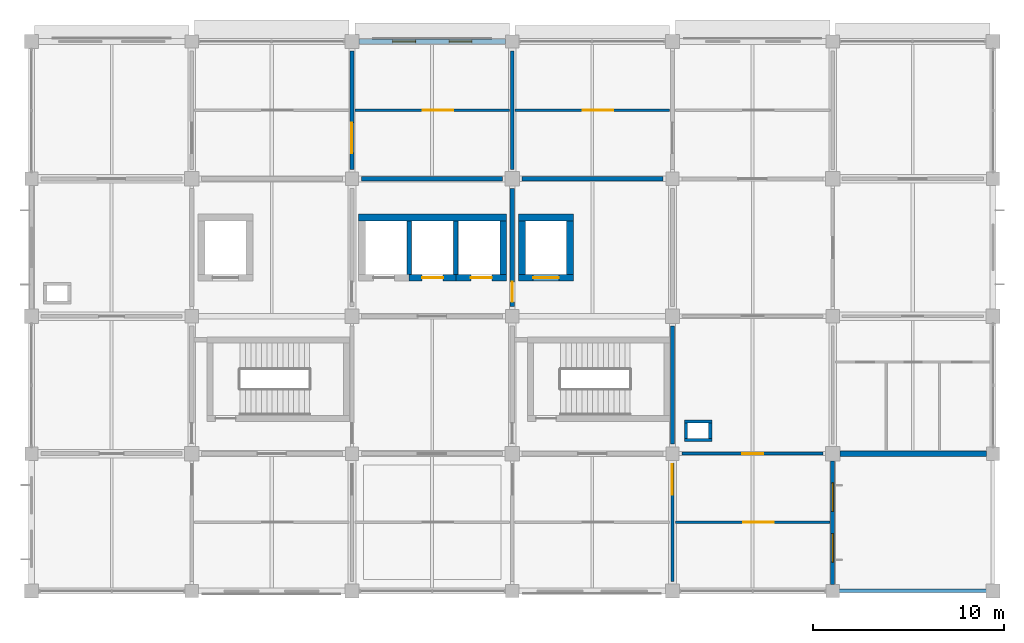
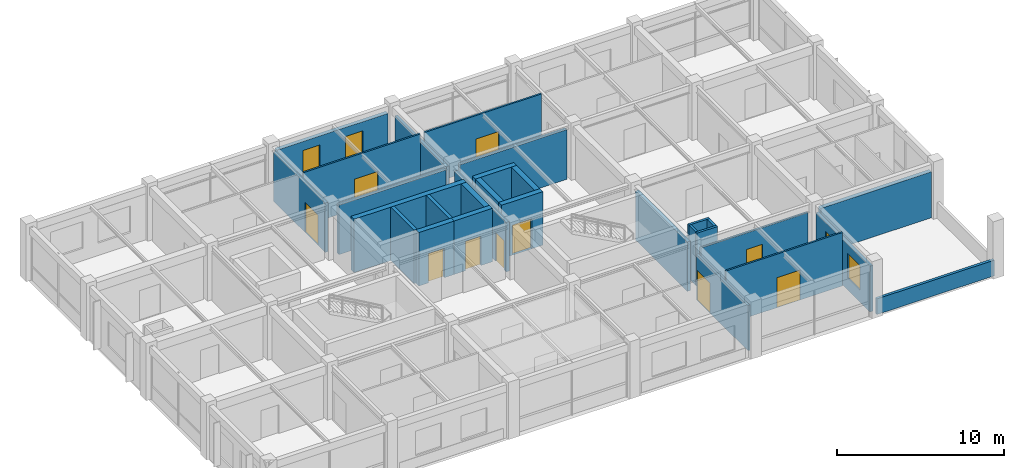
# One storey, part 10 of 14: 29 walls, 10 doors, 4 windows, 14 openings.
"""IFC4 building model written with IfcOpenShell, lengths in metres."""

from ifc_helpers import new_model, si_unit, derived_unit, direction, frame, frame_2d, origin, place, context, subcontext, project, spatial, rectangle, extrude, material, layer, layer_set, type_object, element, fill, save


model = new_model("IFC4")

# Units and contexts
model_context = context("Model", 3, precision=1e-05, world=origin(), true_north=direction((0.0, 1.0)))
body_context = subcontext(model_context, "Body", "Model", "MODEL_VIEW")
ifc_project = project(units=[si_unit("LENGTHUNIT", "METRE"), si_unit("AREAUNIT", "SQUARE_METRE"), si_unit("VOLUMEUNIT", "CUBIC_METRE"), si_unit("PLANEANGLEUNIT", "RADIAN"), si_unit("MASSUNIT", "GRAM", prefix="KILO"), derived_unit("THERMALTRANSMITTANCEUNIT", [(si_unit("MASSUNIT", "GRAM", prefix="KILO"), 1), (si_unit("TIMEUNIT", "SECOND"), -3), (si_unit("THERMODYNAMICTEMPERATUREUNIT", "KELVIN"), -1)])], contexts=[model_context])

# Site, building, storey
site_placement = place(None, origin())
site = spatial("IfcSite", under=ifc_project, at=site_placement, CompositionType="ELEMENT")
building_placement = place(site_placement, origin())
building = spatial("IfcBuilding", under=site, at=building_placement, Name="Veldstrom Oceanarium and Marine Research Institute", CompositionType="ELEMENT")
storey_placement = place(building_placement, frame((0.0, 0.0, 35.39990234375)))
storey = spatial("IfcBuildingStorey", under=building, at=storey_placement, Name="L07", CompositionType="ELEMENT", Elevation=35.39990234375)

# Wall
ifc_material_1 = material(Name="Masonry Cavity Wall", Category="masonry")
ifc_layer_1 = layer(ifc_material_1, 0.2900390625)
ifc_layer_set_1 = layer_set([ifc_layer_1], Name="ARC-WAL-EW2")
wall_type_1 = type_object("IfcWallType", Name="ARC-WAL-EW2", PredefinedType="SOLIDWALL", material=ifc_layer_set_1)
wall_1_placement = place(storey_placement, frame((109.574951171875, 50.39990234375, 0.0), z_axis=(0.0, 0.0, 1.0), x_axis=(1.0, 0.0, 0.0)))
element("IfcWall", 1, at=wall_1_placement, inside=storey, type_object=wall_type_1, Name="Exterior Facade Wall EW2 L07-202", PredefinedType="SOLIDWALL", context=body_context, shape_type="SweptSolid", body=[
    extrude(rectangle(XDim=7.675048828125, YDim=0.2900390625, at=frame_2d((3.83740234375, 0.0))), origin(), (0.0, 0.0, 1.0), 3.364990234375),
])

# Wall, openings, windows
ifc_material_2 = material(Name="Masonry Cavity Wall", Category="masonry")
ifc_layer_2 = layer(ifc_material_2, 0.27001953125)
ifc_layer_set_2 = layer_set([ifc_layer_2], Name="ARC-WAL-EW3")
wall_type_2 = type_object("IfcWallType", Name="ARC-WAL-EW3", PredefinedType="SOLIDWALL", material=ifc_layer_set_2)
wall_2_placement = place(storey_placement, frame((84.375, 72.0, 0.0), z_axis=(0.0, 0.0, 1.0), x_axis=(1.0, 0.0, 0.0)))
wall_2 = element("IfcWall", 2, at=wall_2_placement, inside=storey, type_object=wall_type_2, Name="Exterior Facade Wall EW3 L07-198", PredefinedType="SOLIDWALL", context=body_context, shape_type="SweptSolid", body=[
    extrude(rectangle(XDim=7.675048828125, YDim=0.27001953125, at=frame_2d((3.83740234375, 0.0))), origin(), (0.0, 0.0, 1.0), 3.364990234375),
])
opening_1_placement = place(wall_2_placement, frame((1.75830078125, 0.0, 0.89990234375)))
opening_1 = element("IfcOpeningElement", 3, at=opening_1_placement, cuts=wall_2, Name="Opening W05", PredefinedType="OPENING", context=body_context, shape_type="SweptSolid", body=[
    extrude(rectangle(XDim=1.199951171875, YDim=1.800048828125, at=frame_2d((0.60009765625, 0.89990234375))), frame((0.0, 0.14501953125, 0.0), z_axis=(0.0, -1.0, 0.0), x_axis=(1.0, 0.0, 0.0)), (0.0, 0.0, 1.0), 0.2900390625),
])
opening_2_placement = place(wall_2_placement, frame((4.716796875, 0.0, 0.89990234375)))
opening_2 = element("IfcOpeningElement", 4, at=opening_2_placement, cuts=wall_2, Name="Opening W05", PredefinedType="OPENING", context=body_context, shape_type="SweptSolid", body=[
    extrude(rectangle(XDim=1.199951171875, YDim=1.800048828125, at=frame_2d((0.60009765625, 0.89990234375))), frame((0.0, 0.14501953125, 0.0), z_axis=(0.0, -1.0, 0.0), x_axis=(1.0, 0.0, 0.0)), (0.0, 0.0, 1.0), 0.2900390625),
])
ifc_material_3 = material(Name="Double Glazed Low-E IGU", Category="glass")
window_type_1 = type_object("IfcWindowType", Name="ARC-WIN-W05", PartitioningType="SINGLE_PANEL", PredefinedType="WINDOW", material=ifc_material_3)
window_1_placement = place(opening_1_placement, origin())
window_1 = element("IfcWindow", 5, at=window_1_placement, inside=storey, type_object=window_type_1, Name="Facade Window W05 L07-0167", OverallHeight=1.800048828125, OverallWidth=1.199951171875, PartitioningType="SINGLE_PANEL", PredefinedType="WINDOW", context=body_context, shape_type="SweptSolid", body=[
    extrude(rectangle(XDim=1.199951171875, YDim=1.800048828125, at=frame_2d((0.60009765625, 0.89990234375))), frame((0.0, 0.030029296875, 0.0), z_axis=(0.0, -1.0, 0.0), x_axis=(1.0, 0.0, 0.0)), (0.0, 0.0, 1.0), 0.06005859375),
])
fill(opening_1, window_1)
window_2_placement = place(opening_2_placement, origin())
window_2 = element("IfcWindow", 6, at=window_2_placement, inside=storey, type_object=window_type_1, Name="Facade Window W05 L07-0168", OverallHeight=1.800048828125, OverallWidth=1.199951171875, PartitioningType="SINGLE_PANEL", PredefinedType="WINDOW", context=body_context, shape_type="SweptSolid", body=[
    extrude(rectangle(XDim=1.199951171875, YDim=1.800048828125, at=frame_2d((0.60009765625, 0.89990234375))), frame((0.0, 0.030029296875, 0.0), z_axis=(0.0, -1.0, 0.0), x_axis=(1.0, 0.0, 0.0)), (0.0, 0.0, 1.0), 0.06005859375),
])
fill(opening_2, window_2)

ifc_material_4 = material(Name="Masonry Cavity Wall", Category="masonry")
ifc_layer_3 = layer(ifc_material_4, 0.215087890625)
ifc_layer_set_3 = layer_set([ifc_layer_3], Name="ARC-WAL-EW6")
wall_type_3 = type_object("IfcWallType", Name="ARC-WAL-EW6", PredefinedType="SOLIDWALL", material=ifc_layer_set_3)
wall_3_placement = place(storey_placement, frame((109.199951171875, 43.550048828125, 0.0), z_axis=(0.0, 0.0, 1.0), x_axis=(0.0, 1.0, 0.0)))
wall_3 = element("IfcWall", 7, at=wall_3_placement, inside=storey, type_object=wall_type_3, Name="Exterior Facade Wall EW6 L07-200", PredefinedType="SOLIDWALL", context=body_context, shape_type="SweptSolid", body=[
    extrude(rectangle(XDim=6.474853515625, YDim=0.215087890625, at=frame_2d((3.2373046875, 0.0))), origin(), (0.0, 0.0, 1.0), 3.364990234375),
])
opening_3_placement = place(wall_3_placement, frame((1.158203125, 0.0, 0.89990234375)))
opening_3 = element("IfcOpeningElement", 8, at=opening_3_placement, cuts=wall_3, Name="Opening W04", PredefinedType="OPENING", context=body_context, shape_type="SweptSolid", body=[
    extrude(rectangle(XDim=1.5, YDim=1.800048828125, at=frame_2d((0.75, 0.89990234375))), frame((0.0, 0.117431640625, 0.0), z_axis=(0.0, -1.0, 0.0), x_axis=(1.0, 0.0, 0.0)), (0.0, 0.0, 1.0), 0.235107421875),
])
opening_4_placement = place(wall_3_placement, frame((3.816650390625, 0.0, 0.89990234375)))
opening_4 = element("IfcOpeningElement", 9, at=opening_4_placement, cuts=wall_3, Name="Opening W04", PredefinedType="OPENING", context=body_context, shape_type="SweptSolid", body=[
    extrude(rectangle(XDim=1.5, YDim=1.800048828125, at=frame_2d((0.75, 0.89990234375))), frame((0.0, 0.117431640625, 0.0), z_axis=(0.0, -1.0, 0.0), x_axis=(1.0, 0.0, 0.0)), (0.0, 0.0, 1.0), 0.235107421875),
])
ifc_material_5 = material(Name="Double Glazed Low-E IGU", Category="glass")
window_type_2 = type_object("IfcWindowType", Name="ARC-WIN-W04", PartitioningType="SINGLE_PANEL", PredefinedType="WINDOW", material=ifc_material_5)
window_3_placement = place(opening_3_placement, origin())
window_3 = element("IfcWindow", 10, at=window_3_placement, inside=storey, type_object=window_type_2, Name="Facade Window W04 L07-0171", OverallHeight=1.800048828125, OverallWidth=1.5, PartitioningType="SINGLE_PANEL", PredefinedType="WINDOW", context=body_context, shape_type="SweptSolid", body=[
    extrude(rectangle(XDim=1.5, YDim=1.800048828125, at=frame_2d((0.75, 0.89990234375))), frame((0.0, 0.030029296875, 0.0), z_axis=(0.0, -1.0, 0.0), x_axis=(1.0, 0.0, 0.0)), (0.0, 0.0, 1.0), 0.06005859375),
])
fill(opening_3, window_3)
window_4_placement = place(opening_4_placement, origin())
window_4 = element("IfcWindow", 11, at=window_4_placement, inside=storey, type_object=window_type_2, Name="Facade Window W04 L07-0172", OverallHeight=1.800048828125, OverallWidth=1.5, PartitioningType="SINGLE_PANEL", PredefinedType="WINDOW", context=body_context, shape_type="SweptSolid", body=[
    extrude(rectangle(XDim=1.5, YDim=1.800048828125, at=frame_2d((0.75, 0.89990234375))), frame((0.0, 0.030029296875, 0.0), z_axis=(0.0, -1.0, 0.0), x_axis=(1.0, 0.0, 0.0)), (0.0, 0.0, 1.0), 0.06005859375),
])
fill(opening_4, window_4)

# Wall
ifc_material_6 = material(Name="Masonry Cavity Wall", Category="masonry")
ifc_layer_4 = layer(ifc_material_6, 0.18505859375)
ifc_layer_set_4 = layer_set([ifc_layer_4], Name="ARC-WAL-PR2")
wall_type_4 = type_object("IfcWallType", Name="ARC-WAL-PR2", PredefinedType="PARAPET", material=ifc_layer_set_4)
wall_4_placement = place(storey_placement, frame((109.320068359375, 43.199951171875, 0.0), z_axis=(0.0, 0.0, 1.0), x_axis=(1.0, 0.0, 0.0)))
element("IfcWall", 12, at=wall_4_placement, inside=storey, type_object=wall_type_4, Name="Roof Parapet Wall L06-103", PredefinedType="PARAPET", context=body_context, shape_type="SweptSolid", body=[
    extrude(rectangle(XDim=8.159912109375, YDim=0.18505859375, at=frame_2d((4.080078125, 0.0))), origin(), (0.0, 0.0, 1.0), 1.150146484375),
])

# Wall, opening, door
ifc_material_7 = material(Name="Masonry Fire Compartment Wall", Category="masonry")
ifc_layer_5 = layer(ifc_material_7, 0.22998046875)
ifc_layer_set_5 = layer_set([ifc_layer_5], Name="ARC-WAL-PT1")
wall_type_5 = type_object("IfcWallType", Name="ARC-WAL-PT1", PredefinedType="PARTITIONING", material=ifc_layer_set_5)
wall_5_placement = place(storey_placement, frame((92.39990234375, 58.10009765625, 0.0), z_axis=(0.0, 0.0, 1.0), x_axis=(0.0, 1.0, 0.0)))
wall_5 = element("IfcWall", 13, at=wall_5_placement, inside=storey, type_object=wall_type_5, Name="Interior Partition PT1 L07-1537", PredefinedType="PARTITIONING", context=body_context, shape_type="SweptSolid", body=[
    extrude(rectangle(XDim=6.199951171875, YDim=0.22998046875, at=frame_2d((3.10009765625, 0.0))), origin(), (0.0, 0.0, 1.0), 3.625),
])
opening_5_placement = place(wall_5_placement, frame((0.25, 0.0, 0.0)))
opening_5 = element("IfcOpeningElement", 14, at=opening_5_placement, cuts=wall_5, Name="Opening D-L07-928", PredefinedType="OPENING", context=body_context, shape_type="SweptSolid", body=[
    extrude(rectangle(XDim=1.050048828125, YDim=2.14990234375, at=frame_2d((0.52490234375, 1.074951171875))), frame((0.0, 0.125, 0.0), z_axis=(0.0, -1.0, 0.0), x_axis=(1.0, 0.0, 0.0)), (0.0, 0.0, 1.0), 0.25),
])
ifc_material_8 = material(Name="Painted Steel Fire Door", Category="steel")
door_type_1 = type_object("IfcDoorType", Name="ARC-DOR-SD1", OperationType="SINGLE_SWING_LEFT", PredefinedType="DOOR", material=ifc_material_8)
door_1_placement = place(opening_5_placement, origin())
door_1 = element("IfcDoor", 15, at=door_1_placement, inside=storey, type_object=door_type_1, Name="Interior Door D-L07-928", OperationType="SINGLE_SWING_LEFT", OverallHeight=2.14990234375, OverallWidth=1.050048828125, PredefinedType="DOOR", context=body_context, shape_type="SweptSolid", body=[
    extrude(rectangle(XDim=1.050048828125, YDim=2.14990234375, at=frame_2d((0.52490234375, 1.074951171875))), frame((0.0, 0.02490234375, 0.0), z_axis=(0.0, -1.0, 0.0), x_axis=(1.0, 0.0, 0.0)), (0.0, 0.0, 1.0), 0.050048828125),
])
fill(opening_5, door_1)

# Walls
wall_6_placement = place(storey_placement, frame((84.5, 64.800048828125, 0.0), z_axis=(0.0, 0.0, 1.0), x_axis=(1.0, 0.0, 0.0)))
element("IfcWall", 16, at=wall_6_placement, inside=storey, type_object=wall_type_5, Name="Interior Partition PT1 L07-1538", PredefinedType="PARTITIONING", context=body_context, shape_type="SweptSolid", body=[
    extrude(rectangle(XDim=7.39990234375, YDim=0.22998046875, at=frame_2d((3.699951171875, 0.0))), origin(), (0.0, 0.0, 1.0), 3.625),
])
wall_7_placement = place(storey_placement, frame((100.800048828125, 50.89990234375, 0.0), z_axis=(0.0, 0.0, 1.0), x_axis=(0.0, 1.0, 0.0)))
element("IfcWall", 17, at=wall_7_placement, inside=storey, type_object=wall_type_5, Name="Interior Partition PT1 L07-1542", PredefinedType="PARTITIONING", context=body_context, shape_type="SweptSolid", body=[
    extrude(rectangle(XDim=6.2001953125, YDim=0.22998046875, at=frame_2d((3.10009765625, 0.0))), origin(), (0.0, 0.0, 1.0), 3.625),
])
wall_8_placement = place(storey_placement, frame((92.89990234375, 64.800048828125, 0.0), z_axis=(0.0, 0.0, 1.0), x_axis=(1.0, 0.0, 0.0)))
element("IfcWall", 18, at=wall_8_placement, inside=storey, type_object=wall_type_5, Name="Interior Partition PT1 L07-1545", PredefinedType="PARTITIONING", context=body_context, shape_type="SweptSolid", body=[
    extrude(rectangle(XDim=7.400146484375, YDim=0.22998046875, at=frame_2d((3.7001953125, 0.0))), origin(), (0.0, 0.0, 1.0), 3.64501953125),
])

# Wall, opening, door
ifc_material_9 = material(Name="Gypsum Acoustic Lab Partition", Category="gypsum")
ifc_layer_6 = layer(ifc_material_9, 0.1201171875)
ifc_layer_set_6 = layer_set([ifc_layer_6], Name="ARC-WAL-PT10")
wall_type_6 = type_object("IfcWallType", Name="ARC-WAL-PT10", PredefinedType="PARTITIONING", material=ifc_layer_set_6)
wall_9_placement = place(storey_placement, frame((100.949951171875, 46.800048828125, 0.0), z_axis=(0.0, 0.0, 1.0), x_axis=(1.0, 0.0, 0.0)))
wall_9 = element("IfcWall", 19, at=wall_9_placement, inside=storey, type_object=wall_type_6, Name="Laboratory Suite Partition L07-12/6", PredefinedType="PARTITIONING", context=body_context, shape_type="SweptSolid", body=[
    extrude(rectangle(XDim=8.10009765625, YDim=0.1201171875, at=frame_2d((4.050048828125, 0.0))), origin(), (0.0, 0.0, 1.0), 3.920166015625),
])
opening_6_placement = place(wall_9_placement, frame((3.550048828125, 0.0, 0.0)))
opening_6 = element("IfcOpeningElement", 20, at=opening_6_placement, cuts=wall_9, Name="Opening D-L07-S908", PredefinedType="OPENING", context=body_context, shape_type="SweptSolid", body=[
    extrude(rectangle(XDim=1.60009765625, YDim=2.199951171875, at=frame_2d((0.800048828125, 1.10009765625))), frame((0.0, 0.070068359375, 0.0), z_axis=(0.0, -1.0, 0.0), x_axis=(1.0, 0.0, 0.0)), (0.0, 0.0, 1.0), 0.14013671875),
])
ifc_material_10 = material(Name="Acoustic Timber Corridor Door", Category="wood")
door_type_2 = type_object("IfcDoorType", Name="ARC-DOR-ID02", OperationType="DOUBLE_DOOR_SINGLE_SWING", PredefinedType="DOOR", material=ifc_material_10)
door_2_placement = place(opening_6_placement, frame((1.60009765625, 0.0, 0.0), z_axis=(0.0, 0.0, 1.0), x_axis=(-1.0, 0.0, 0.0)))
door_2 = element("IfcDoor", 21, at=door_2_placement, inside=storey, type_object=door_type_2, Name="Suite Interior Door D-L07-S908", OperationType="SINGLE_SWING_LEFT", OverallHeight=2.199951171875, OverallWidth=1.60009765625, PredefinedType="DOOR", context=body_context, shape_type="SweptSolid", body=[
    extrude(rectangle(XDim=1.60009765625, YDim=2.199951171875, at=frame_2d((0.800048828125, 1.10009765625))), frame((0.0, 0.02490234375, 0.0), z_axis=(0.0, -1.0, 0.0), x_axis=(1.0, 0.0, 0.0)), (0.0, 0.0, 1.0), 0.050048828125),
])
fill(opening_6, door_2)

wall_10_placement = place(storey_placement, frame((84.14990234375, 68.39990234375, 0.0), z_axis=(0.0, 0.0, 1.0), x_axis=(1.0, 0.0, 0.0)))
wall_10 = element("IfcWall", 22, at=wall_10_placement, inside=storey, type_object=wall_type_6, Name="Laboratory Suite Partition L07-10/9", PredefinedType="PARTITIONING", context=body_context, shape_type="SweptSolid", body=[
    extrude(rectangle(XDim=8.10009765625, YDim=0.1201171875, at=frame_2d((4.050048828125, 0.0))), origin(), (0.0, 0.0, 1.0), 3.920166015625),
])
opening_7_placement = place(wall_10_placement, frame((3.550048828125, 0.0, 0.0)))
opening_7 = element("IfcOpeningElement", 23, at=opening_7_placement, cuts=wall_10, Name="Opening D-L07-S910", PredefinedType="OPENING", context=body_context, shape_type="SweptSolid", body=[
    extrude(rectangle(XDim=1.60009765625, YDim=2.199951171875, at=frame_2d((0.800048828125, 1.10009765625))), frame((0.0, 0.070068359375, 0.0), z_axis=(0.0, -1.0, 0.0), x_axis=(1.0, 0.0, 0.0)), (0.0, 0.0, 1.0), 0.14013671875),
])
door_3_placement = place(opening_7_placement, origin())
door_3 = element("IfcDoor", 24, at=door_3_placement, inside=storey, type_object=door_type_2, Name="Suite Interior Door D-L07-S910", OperationType="SINGLE_SWING_RIGHT", OverallHeight=2.199951171875, OverallWidth=1.60009765625, PredefinedType="DOOR", context=body_context, shape_type="SweptSolid", body=[
    extrude(rectangle(XDim=1.60009765625, YDim=2.199951171875, at=frame_2d((0.800048828125, 1.10009765625))), frame((0.0, 0.02490234375, 0.0), z_axis=(0.0, -1.0, 0.0), x_axis=(1.0, 0.0, 0.0)), (0.0, 0.0, 1.0), 0.050048828125),
])
fill(opening_7, door_3)

wall_11_placement = place(storey_placement, frame((92.550048828125, 68.39990234375, 0.0), z_axis=(0.0, 0.0, 1.0), x_axis=(1.0, 0.0, 0.0)))
wall_11 = element("IfcWall", 25, at=wall_11_placement, inside=storey, type_object=wall_type_6, Name="Laboratory Suite Partition L07-11/9", PredefinedType="PARTITIONING", context=body_context, shape_type="SweptSolid", body=[
    extrude(rectangle(XDim=8.099853515625, YDim=0.1201171875, at=frame_2d((4.0498046875, 0.0))), origin(), (0.0, 0.0, 1.0), 3.920166015625),
])
opening_8_placement = place(wall_11_placement, frame((3.550048828125, 0.0, 0.0)))
opening_8 = element("IfcOpeningElement", 26, at=opening_8_placement, cuts=wall_11, Name="Opening D-L07-S911", PredefinedType="OPENING", context=body_context, shape_type="SweptSolid", body=[
    extrude(rectangle(XDim=1.60009765625, YDim=2.199951171875, at=frame_2d((0.800048828125, 1.10009765625))), frame((0.0, 0.070068359375, 0.0), z_axis=(0.0, -1.0, 0.0), x_axis=(1.0, 0.0, 0.0)), (0.0, 0.0, 1.0), 0.14013671875),
])
door_4_placement = place(opening_8_placement, origin())
door_4 = element("IfcDoor", 27, at=door_4_placement, inside=storey, type_object=door_type_2, Name="Suite Interior Door D-L07-S911", OperationType="SINGLE_SWING_LEFT", OverallHeight=2.199951171875, OverallWidth=1.60009765625, PredefinedType="DOOR", context=body_context, shape_type="SweptSolid", body=[
    extrude(rectangle(XDim=1.60009765625, YDim=2.199951171875, at=frame_2d((0.800048828125, 1.10009765625))), frame((0.0, 0.02490234375, 0.0), z_axis=(0.0, -1.0, 0.0), x_axis=(1.0, 0.0, 0.0)), (0.0, 0.0, 1.0), 0.050048828125),
])
fill(opening_8, door_4)

ifc_material_11 = material(Name="Masonry Acoustic Lab Partition", Category="masonry")
ifc_layer_7 = layer(ifc_material_11, 0.205078125)
ifc_layer_set_7 = layer_set([ifc_layer_7], Name="ARC-WAL-PT2")
wall_type_7 = type_object("IfcWallType", Name="ARC-WAL-PT2", PredefinedType="PARTITIONING", material=ifc_layer_set_7)
wall_12_placement = place(storey_placement, frame((84.0, 65.300048828125, 0.0), z_axis=(0.0, 0.0, 1.0), x_axis=(0.0, 1.0, 0.0)))
wall_12 = element("IfcWall", 28, at=wall_12_placement, inside=storey, type_object=wall_type_7, Name="Interior Partition PT2 L07-1532", PredefinedType="PARTITIONING", context=body_context, shape_type="SweptSolid", body=[
    extrude(rectangle(XDim=6.199951171875, YDim=0.205078125, at=frame_2d((3.10009765625, 0.0))), origin(), (0.0, 0.0, 1.0), 3.625),
])
opening_9_placement = place(wall_12_placement, frame((0.85009765625, 0.0, 0.0)))
opening_9 = element("IfcOpeningElement", 29, at=opening_9_placement, cuts=wall_12, Name="Opening D-L07-923", PredefinedType="OPENING", context=body_context, shape_type="SweptSolid", body=[
    extrude(rectangle(XDim=1.60009765625, YDim=2.199951171875, at=frame_2d((0.800048828125, 1.10009765625))), frame((0.0, 0.112548828125, 0.0), z_axis=(0.0, -1.0, 0.0), x_axis=(1.0, 0.0, 0.0)), (0.0, 0.0, 1.0), 0.22509765625),
])
door_5_placement = place(opening_9_placement, origin())
door_5 = element("IfcDoor", 30, at=door_5_placement, inside=storey, type_object=door_type_2, Name="Interior Door D-L07-923", OperationType="DOUBLE_DOOR_SINGLE_SWING", OverallHeight=2.199951171875, OverallWidth=1.60009765625, PredefinedType="DOOR", context=body_context, shape_type="SweptSolid", body=[
    extrude(rectangle(XDim=1.60009765625, YDim=2.199951171875, at=frame_2d((0.800048828125, 1.10009765625))), frame((0.0, 0.02490234375, 0.0), z_axis=(0.0, -1.0, 0.0), x_axis=(1.0, 0.0, 0.0)), (0.0, 0.0, 1.0), 0.050048828125),
])
fill(opening_9, door_5)

# Wall
ifc_material_12 = material(Name="Drywall Acoustic Partition", Category="gypsum")
ifc_layer_8 = layer(ifc_material_12, 0.175048828125)
ifc_layer_set_8 = layer_set([ifc_layer_8], Name="ARC-WAL-PT3")
wall_type_8 = type_object("IfcWallType", Name="ARC-WAL-PT3", PredefinedType="PARTITIONING", material=ifc_layer_set_8)
wall_13_placement = place(storey_placement, frame((92.39990234375, 65.300048828125, 0.0), z_axis=(0.0, 0.0, 1.0), x_axis=(0.0, 1.0, 0.0)))
element("IfcWall", 31, at=wall_13_placement, inside=storey, type_object=wall_type_8, Name="Interior Partition PT3 L07-1539", PredefinedType="PARTITIONING", context=body_context, shape_type="SweptSolid", body=[
    extrude(rectangle(XDim=6.199951171875, YDim=0.175048828125, at=frame_2d((3.10009765625, 0.0))), origin(), (0.0, 0.0, 1.0), 3.315185546875),
])

# Wall, opening, door
ifc_material_13 = material(Name="Drywall Corridor Partition", Category="gypsum")
ifc_layer_9 = layer(ifc_material_13, 0.155029296875)
ifc_layer_set_9 = layer_set([ifc_layer_9], Name="ARC-WAL-PT4")
wall_type_9 = type_object("IfcWallType", Name="ARC-WAL-PT4", PredefinedType="PARTITIONING", material=ifc_layer_set_9)
wall_14_placement = place(storey_placement, frame((101.300048828125, 50.39990234375, 0.0), z_axis=(0.0, 0.0, 1.0), x_axis=(1.0, 0.0, 0.0)))
wall_14 = element("IfcWall", 32, at=wall_14_placement, inside=storey, type_object=wall_type_9, Name="Interior Partition PT4 L07-1547", PredefinedType="PARTITIONING", context=body_context, shape_type="SweptSolid", body=[
    extrude(rectangle(XDim=7.39990234375, YDim=0.155029296875, at=frame_2d((3.699951171875, 0.0))), origin(), (0.0, 0.0, 1.0), 3.315185546875),
])
opening_10_placement = place(wall_14_placement, frame((3.14990234375, 0.0, 0.0)))
opening_10 = element("IfcOpeningElement", 33, at=opening_10_placement, cuts=wall_14, Name="Opening D-L07-932", PredefinedType="OPENING", context=body_context, shape_type="SweptSolid", body=[
    extrude(rectangle(XDim=1.10009765625, YDim=2.10009765625, at=frame_2d((0.550048828125, 1.050048828125))), frame((0.0, 0.08740234375, 0.0), z_axis=(0.0, -1.0, 0.0), x_axis=(1.0, 0.0, 0.0)), (0.0, 0.0, 1.0), 0.175048828125),
])
ifc_material_14 = material(Name="Research Office Door", Category="timber")
door_type_3 = type_object("IfcDoorType", Name="ARC-DOR-ID07", OperationType="SINGLE_SWING_LEFT", PredefinedType="DOOR", material=ifc_material_14)
door_6_placement = place(opening_10_placement, frame((1.10009765625, 0.0, 0.0), z_axis=(0.0, 0.0, 1.0), x_axis=(-1.0, 0.0, 0.0)))
door_6 = element("IfcDoor", 34, at=door_6_placement, inside=storey, type_object=door_type_3, Name="Interior Door D-L07-932", OperationType="SINGLE_SWING_LEFT", OverallHeight=2.10009765625, OverallWidth=1.10009765625, PredefinedType="DOOR", context=body_context, shape_type="SweptSolid", body=[
    extrude(rectangle(XDim=1.10009765625, YDim=2.10009765625, at=frame_2d((0.550048828125, 1.050048828125))), frame((0.0, 0.02490234375, 0.0), z_axis=(0.0, -1.0, 0.0), x_axis=(1.0, 0.0, 0.0)), (0.0, 0.0, 1.0), 0.050048828125),
])
fill(opening_10, door_6)

ifc_material_15 = material(Name="Moisture-Resistant Wet-Area Partition", Category="masonry")
ifc_layer_10 = layer(ifc_material_15, 0.139892578125)
ifc_layer_set_10 = layer_set([ifc_layer_10], Name="ARC-WAL-PT5")
wall_type_10 = type_object("IfcWallType", Name="ARC-WAL-PT5", PredefinedType="PARTITIONING", material=ifc_layer_set_10)
wall_15_placement = place(storey_placement, frame((100.800048828125, 43.699951171875, 0.0), z_axis=(0.0, 0.0, 1.0), x_axis=(0.0, 1.0, 0.0)))
wall_15 = element("IfcWall", 35, at=wall_15_placement, inside=storey, type_object=wall_type_10, Name="Interior Partition PT5 L07-1540", PredefinedType="PARTITIONING", context=body_context, shape_type="SweptSolid", body=[
    extrude(rectangle(XDim=6.199951171875, YDim=0.139892578125, at=frame_2d((3.10009765625, 0.0))), origin(), (0.0, 0.0, 1.0), 3.315185546875),
])
opening_11_placement = place(wall_15_placement, frame((4.550048828125, 0.0, 0.0)))
opening_11 = element("IfcOpeningElement", 36, at=opening_11_placement, cuts=wall_15, Name="Opening D-L07-929", PredefinedType="OPENING", context=body_context, shape_type="SweptSolid", body=[
    extrude(rectangle(XDim=1.60009765625, YDim=2.199951171875, at=frame_2d((0.800048828125, 1.10009765625))), frame((0.0, 0.079833984375, 0.0), z_axis=(0.0, -1.0, 0.0), x_axis=(1.0, 0.0, 0.0)), (0.0, 0.0, 1.0), 0.159912109375),
])
door_7_placement = place(opening_11_placement, frame((1.60009765625, 0.0, 0.0), z_axis=(0.0, 0.0, 1.0), x_axis=(-1.0, 0.0, 0.0)))
door_7 = element("IfcDoor", 37, at=door_7_placement, inside=storey, type_object=door_type_2, Name="Interior Door D-L07-929", OperationType="DOUBLE_DOOR_SINGLE_SWING", OverallHeight=2.199951171875, OverallWidth=1.60009765625, PredefinedType="DOOR", context=body_context, shape_type="SweptSolid", body=[
    extrude(rectangle(XDim=1.60009765625, YDim=2.199951171875, at=frame_2d((0.800048828125, 1.10009765625))), frame((0.0, 0.02490234375, 0.0), z_axis=(0.0, -1.0, 0.0), x_axis=(1.0, 0.0, 0.0)), (0.0, 0.0, 1.0), 0.050048828125),
])
fill(opening_11, door_7)

# Walls
ifc_material_16 = material(Name="Service Riser Fire Shaft Wall", Category="masonry")
ifc_layer_11 = layer(ifc_material_16, 0.1650390625)
ifc_layer_set_11 = layer_set([ifc_layer_11], Name="ARC-WAL-PT9")
wall_type_11 = type_object("IfcWallType", Name="ARC-WAL-PT9", PredefinedType="PARTITIONING", material=ifc_layer_set_11)
for number, where, z_axis, x_axis, name in (
    (38, (101.43505859375, 51.117431640625, 0.0), (0.0, 0.0, 1.0), (1.0, 0.0, 0.0), "Service Riser Fire Shaft Wall L07-CE-S"),
    (39, (101.43505859375, 52.08251953125, 0.0), (0.0, 0.0, 1.0), (1.0, 0.0, 0.0), "Service Riser Fire Shaft Wall L07-CE-N"),
):
    element("IfcWall", number, at=place(storey_placement, frame(where, z_axis=z_axis, x_axis=x_axis)), inside=storey, type_object=wall_type_11, Name=name, PredefinedType="PARTITIONING", context=body_context, shape_type="SweptSolid", body=[
        extrude(rectangle(XDim=1.429931640625, YDim=0.1650390625, at=frame_2d((0.71484375, 0.0))), origin(), (0.0, 0.0, 1.0), 3.920166015625),
    ])
for number, where, z_axis, x_axis, name in (
    (40, (101.517578125, 51.199951171875, 0.0), (0.0, 0.0, 1.0), (0.0, 1.0, 0.0), "Service Riser Fire Shaft Wall L07-CE-W"),
    (41, (102.782470703125, 51.199951171875, 0.0), (0.0, 0.0, 1.0), (0.0, 1.0, 0.0), "Service Riser Fire Shaft Wall L07-CE-E"),
):
    element("IfcWall", number, at=place(storey_placement, frame(where, z_axis=z_axis, x_axis=x_axis)), inside=storey, type_object=wall_type_11, Name=name, PredefinedType="PARTITIONING", context=body_context, shape_type="SweptSolid", body=[
        extrude(rectangle(XDim=0.800048828125, YDim=0.1650390625, at=frame_2d((0.39990234375, 0.0))), origin(), (0.0, 0.0, 1.0), 3.920166015625),
    ])
ifc_material_17 = material(Name="Concrete C40/50", Category="concrete")
ifc_layer_12 = layer(ifc_material_17, 0.360107421875)
ifc_layer_set_12 = layer_set([ifc_layer_12], Name="STR-WAL-WC2")
wall_type_12 = type_object("IfcWallType", Name="STR-WAL-WC2", PredefinedType="SHEAR", material=ifc_layer_set_12)
wall_16_placement = place(storey_placement, frame((84.340087890625, 62.780029296875, 0.0), z_axis=(0.0, 0.0, 1.0), x_axis=(1.0, 0.0, 0.0)))
element("IfcWall", 42, at=wall_16_placement, inside=storey, type_object=wall_type_12, Name="Lift Shaft Shear Wall N L07 10/8", PredefinedType="SHEAR", context=body_context, shape_type="SweptSolid", body=[
    extrude(rectangle(XDim=7.77001953125, YDim=0.360107421875, at=frame_2d((3.885009765625, 0.0))), origin(), (0.0, 0.0, 1.0), 3.920166015625),
])

# Wall, opening, door
wall_17_placement = place(storey_placement, frame((87.0, 59.6201171875, 0.0), z_axis=(0.0, 0.0, 1.0), x_axis=(1.0, 0.0, 0.0)))
wall_17 = element("IfcWall", 43, at=wall_17_placement, inside=storey, type_object=wall_type_12, Name="Lift Shaft Front Shear Wall LP2 L07", PredefinedType="SHEAR", context=body_context, shape_type="SweptSolid", body=[
    extrude(rectangle(XDim=2.449951171875, YDim=0.360107421875, at=frame_2d((1.22509765625, 0.0))), origin(), (0.0, 0.0, 1.0), 3.920166015625),
])
opening_12_placement = place(wall_17_placement, frame((0.675048828125, 0.0, 0.0)))
opening_12 = element("IfcOpeningElement", 44, at=opening_12_placement, cuts=wall_17, Name="Opening LD-LP2-L07", PredefinedType="OPENING", context=body_context, shape_type="SweptSolid", body=[
    extrude(rectangle(XDim=1.10009765625, YDim=2.14990234375, at=frame_2d((0.550048828125, 1.074951171875))), frame((0.0, 0.18994140625, 0.0), z_axis=(0.0, -1.0, 0.0), x_axis=(1.0, 0.0, 0.0)), (0.0, 0.0, 1.0), 0.380126953125),
])
ifc_material_18 = material(Name="Stainless Steel Lift Landing Door", Category="steel")
door_type_4 = type_object("IfcDoorType", Name="ARC-DOR-LD1", OperationType="DOUBLE_DOOR_SLIDING", PredefinedType="DOOR", material=ifc_material_18)
door_8_placement = place(opening_12_placement, origin())
door_8 = element("IfcDoor", 45, at=door_8_placement, inside=storey, type_object=door_type_4, Name="Lift Landing Door LD-LP2-L07", OperationType="DOUBLE_DOOR_SLIDING", OverallHeight=2.14990234375, OverallWidth=1.10009765625, PredefinedType="DOOR", context=body_context, shape_type="SweptSolid", body=[
    extrude(rectangle(XDim=1.10009765625, YDim=2.14990234375, at=frame_2d((0.550048828125, 1.074951171875))), frame((0.0, 0.02490234375, 0.0), z_axis=(0.0, -1.0, 0.0), x_axis=(1.0, 0.0, 0.0)), (0.0, 0.0, 1.0), 0.050048828125),
])
fill(opening_12, door_8)

wall_18_placement = place(storey_placement, frame((89.449951171875, 59.6201171875, 0.0), z_axis=(0.0, 0.0, 1.0), x_axis=(1.0, 0.0, 0.0)))
wall_18 = element("IfcWall", 46, at=wall_18_placement, inside=storey, type_object=wall_type_12, Name="Lift Shaft Front Shear Wall LP3 L07", PredefinedType="SHEAR", context=body_context, shape_type="SweptSolid", body=[
    extrude(rectangle(XDim=2.66015625, YDim=0.360107421875, at=frame_2d((1.330078125, 0.0))), origin(), (0.0, 0.0, 1.0), 3.920166015625),
])
opening_13_placement = place(wall_18_placement, frame((0.780029296875, 0.0, 0.0)))
opening_13 = element("IfcOpeningElement", 47, at=opening_13_placement, cuts=wall_18, Name="Opening LD-LP3-L07", PredefinedType="OPENING", context=body_context, shape_type="SweptSolid", body=[
    extrude(rectangle(XDim=1.10009765625, YDim=2.14990234375, at=frame_2d((0.550048828125, 1.074951171875))), frame((0.0, 0.18994140625, 0.0), z_axis=(0.0, -1.0, 0.0), x_axis=(1.0, 0.0, 0.0)), (0.0, 0.0, 1.0), 0.380126953125),
])
door_9_placement = place(opening_13_placement, origin())
door_9 = element("IfcDoor", 48, at=door_9_placement, inside=storey, type_object=door_type_4, Name="Lift Landing Door LD-LP3-L07", OperationType="DOUBLE_DOOR_SLIDING", OverallHeight=2.14990234375, OverallWidth=1.10009765625, PredefinedType="DOOR", context=body_context, shape_type="SweptSolid", body=[
    extrude(rectangle(XDim=1.10009765625, YDim=2.14990234375, at=frame_2d((0.550048828125, 1.074951171875))), frame((0.0, 0.02490234375, 0.0), z_axis=(0.0, -1.0, 0.0), x_axis=(1.0, 0.0, 0.0)), (0.0, 0.0, 1.0), 0.050048828125),
])
fill(opening_13, door_9)

# Walls
wall_19_placement = place(storey_placement, frame((91.929931640625, 59.800048828125, 0.0), z_axis=(0.0, 0.0, 1.0), x_axis=(0.0, 1.0, 0.0)))
element("IfcWall", 49, at=wall_19_placement, inside=storey, type_object=wall_type_12, Name="Lift Shaft Shear Wall E L07 10/8", PredefinedType="SHEAR", context=body_context, shape_type="SweptSolid", body=[
    extrude(rectangle(XDim=2.800048828125, YDim=0.360107421875, at=frame_2d((1.39990234375, 0.0))), origin(), (0.0, 0.0, 1.0), 3.920166015625),
])
wall_20_placement = place(storey_placement, frame((92.739990234375, 62.780029296875, 0.0), z_axis=(0.0, 0.0, 1.0), x_axis=(1.0, 0.0, 0.0)))
element("IfcWall", 50, at=wall_20_placement, inside=storey, type_object=wall_type_12, Name="Lift Shaft Shear Wall N L07 11/8", PredefinedType="SHEAR", context=body_context, shape_type="SweptSolid", body=[
    extrude(rectangle(XDim=2.8701171875, YDim=0.360107421875, at=frame_2d((1.43505859375, 0.0))), origin(), (0.0, 0.0, 1.0), 3.920166015625),
])

# Wall, opening, door
wall_21_placement = place(storey_placement, frame((92.739990234375, 59.6201171875, 0.0), z_axis=(0.0, 0.0, 1.0), x_axis=(1.0, 0.0, 0.0)))
wall_21 = element("IfcWall", 51, at=wall_21_placement, inside=storey, type_object=wall_type_12, Name="Lift Shaft Front Shear Wall LF2 L07", PredefinedType="SHEAR", context=body_context, shape_type="SweptSolid", body=[
    extrude(rectangle(XDim=2.8701171875, YDim=0.360107421875, at=frame_2d((1.43505859375, 0.0))), origin(), (0.0, 0.0, 1.0), 3.920166015625),
])
opening_14_placement = place(wall_21_placement, frame((0.760009765625, 0.0, 0.0)))
opening_14 = element("IfcOpeningElement", 52, at=opening_14_placement, cuts=wall_21, Name="Opening LD-LF2-L07", PredefinedType="OPENING", context=body_context, shape_type="SweptSolid", body=[
    extrude(rectangle(XDim=1.35009765625, YDim=2.199951171875, at=frame_2d((0.675048828125, 1.10009765625))), frame((0.0, 0.18994140625, 0.0), z_axis=(0.0, -1.0, 0.0), x_axis=(1.0, 0.0, 0.0)), (0.0, 0.0, 1.0), 0.380126953125),
])
ifc_material_19 = material(Name="Stainless Steel Lift Landing Door", Category="steel")
door_type_5 = type_object("IfcDoorType", Name="ARC-DOR-LD3", OperationType="DOUBLE_DOOR_SLIDING", PredefinedType="DOOR", material=ifc_material_19)
door_10_placement = place(opening_14_placement, origin())
door_10 = element("IfcDoor", 53, at=door_10_placement, inside=storey, type_object=door_type_5, Name="Lift Landing Door LD-LF2-L07", OperationType="DOUBLE_DOOR_SLIDING", OverallHeight=2.199951171875, OverallWidth=1.35009765625, PredefinedType="DOOR", context=body_context, shape_type="SweptSolid", body=[
    extrude(rectangle(XDim=1.35009765625, YDim=2.199951171875, at=frame_2d((0.675048828125, 1.10009765625))), frame((0.0, 0.02490234375, 0.0), z_axis=(0.0, -1.0, 0.0), x_axis=(1.0, 0.0, 0.0)), (0.0, 0.0, 1.0), 0.050048828125),
])
fill(opening_14, door_10)

# Walls
for number, where, z_axis, x_axis, name in (
    (54, (92.919921875, 59.800048828125, 0.0), (0.0, 0.0, 1.0), (0.0, 1.0, 0.0), "Lift Shaft Shear Wall W L07 11/8"),
    (55, (95.429931640625, 59.800048828125, 0.0), (0.0, 0.0, 1.0), (0.0, 1.0, 0.0), "Lift Shaft Shear Wall E L07 11/8"),
):
    element("IfcWall", number, at=place(storey_placement, frame(where, z_axis=z_axis, x_axis=x_axis)), inside=storey, type_object=wall_type_12, Name=name, PredefinedType="SHEAR", context=body_context, shape_type="SweptSolid", body=[
        extrude(rectangle(XDim=2.800048828125, YDim=0.360107421875, at=frame_2d((1.39990234375, 0.0))), origin(), (0.0, 0.0, 1.0), 3.920166015625),
    ])
ifc_material_20 = material(Name="Concrete C40/50", Category="concrete")
ifc_layer_13 = layer(ifc_material_20, 0.239990234375)
ifc_layer_set_13 = layer_set([ifc_layer_13], Name="STR-WAL-WC4")
wall_type_13 = type_object("IfcWallType", Name="STR-WAL-WC4", PredefinedType="SHEAR", material=ifc_layer_set_13)
for number, where, z_axis, x_axis, name in (
    (56, (87.0, 59.800048828125, 0.0), (0.0, 0.0, 1.0), (0.0, 1.0, 0.0), "Lift Shaft Divider Wall L07 10/8-1"),
    (57, (89.449951171875, 59.800048828125, 0.0), (0.0, 0.0, 1.0), (0.0, 1.0, 0.0), "Lift Shaft Divider Wall L07 10/8-2"),
):
    element("IfcWall", number, at=place(storey_placement, frame(where, z_axis=z_axis, x_axis=x_axis)), inside=storey, type_object=wall_type_13, Name=name, PredefinedType="SHEAR", context=body_context, shape_type="SweptSolid", body=[
        extrude(rectangle(XDim=2.800048828125, YDim=0.239990234375, at=frame_2d((1.39990234375, 0.0))), origin(), (0.0, 0.0, 1.0), 3.920166015625),
    ])

save(model, "model.ifc")
